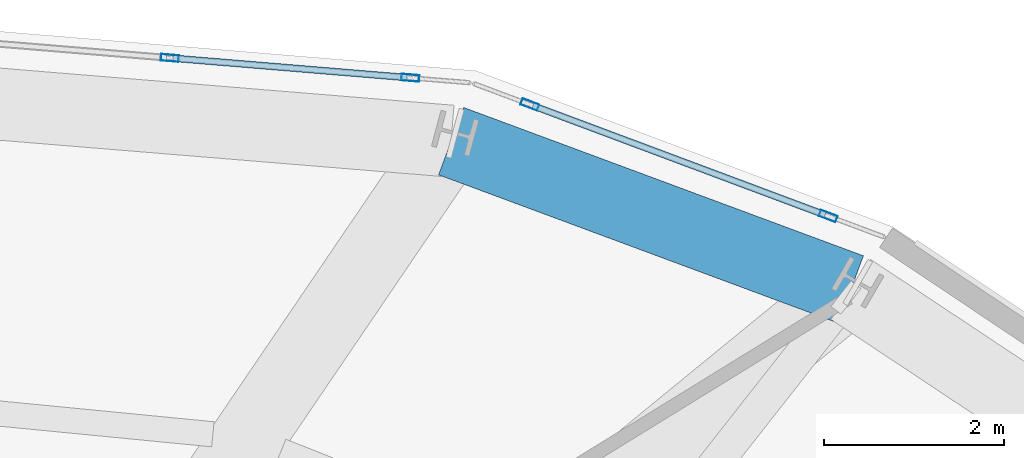
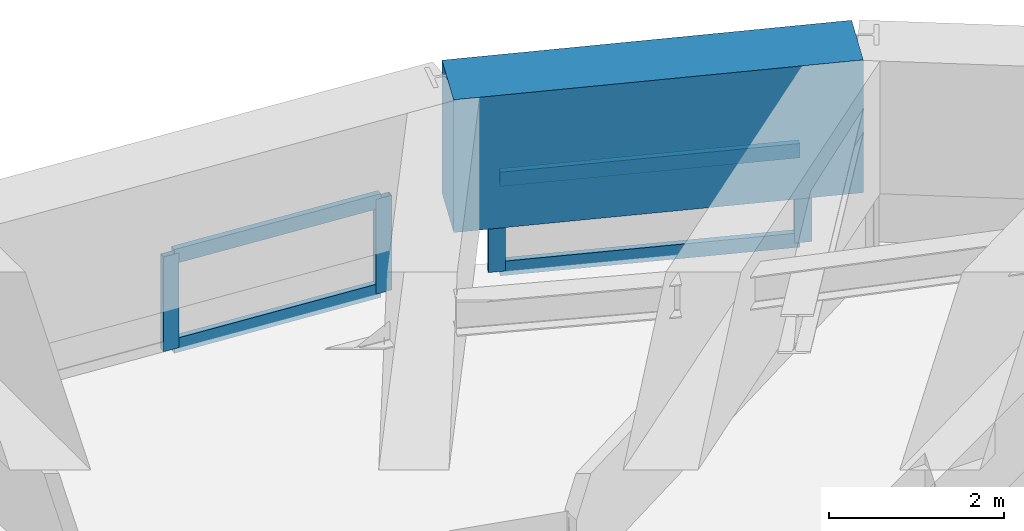
# One storey, part 11 of 21: 8 members, 1 beam, 2 elements without a shape of their own.
"""IFC4 building model written with IfcOpenShell, lengths in metres."""

from ifc_helpers import new_model, si_unit, direction, frame, origin, origin_2d, place, context, subcontext, project, spatial, rectangle, hollow_rectangle, extrude, material, layer, layer_set, material_profile, profile_set, type_object, element, aggregate, save


model = new_model("IFC4")

# Units and contexts
model_context = context("Model", 3, precision=1e-05, world=origin(), true_north=direction((0.0, 1.0)))
body_context = subcontext(model_context, "Body", "Model", "MODEL_VIEW")
ifc_project = project(units=[si_unit("LENGTHUNIT", "METRE"), si_unit("AREAUNIT", "SQUARE_METRE"), si_unit("VOLUMEUNIT", "CUBIC_METRE"), si_unit("PLANEANGLEUNIT", "RADIAN"), si_unit("MASSUNIT", "GRAM", prefix="KILO")], contexts=[model_context])

# Site, building, storey
site_placement = place(None, origin())
site = spatial("IfcSite", under=ifc_project, at=site_placement, CompositionType="ELEMENT")
building_placement = place(site_placement, origin())
building = spatial("IfcBuilding", under=site, at=building_placement, Name="Solvane Sanctuary Tower", CompositionType="ELEMENT")
storey_placement = place(building_placement, frame((0.0, 0.0, 260.39990234375)))
storey = spatial("IfcBuildingStorey", under=building, at=storey_placement, Name="L79", CompositionType="ELEMENT", Elevation=260.39990234375)

# Beam
ifc_material_1 = material(Name="Concrete C70/85", Category="concrete")
ifc_material_profile_1 = material_profile(ifc_material_1, rectangle(XDim=0.800048828125, YDim=1.85009765625, at=origin_2d()), Name="RC800X1850")
ifc_profile_set_1 = profile_set([ifc_material_profile_1], Name="Concrete C70/85")
beam_type = type_object("IfcBeamType", Name="Beam B-XFER-BLK RC800X1850", PredefinedType="BEAM", material=ifc_profile_set_1)
beam_placement = place(storey_placement, frame((38.48876953125, 37.857421875, 2.275146484375), z_axis=(0.937541853236, -0.347872495939, 0.0), x_axis=(0.347872495939, 0.937541853236, 0.0)))
element("IfcBeam", 1, at=beam_placement, inside=storey, type_object=beam_type, Name="L79 Perimeter Step Transfer Ring NTC03-NTC02", PredefinedType="BEAM", context=body_context, shape_type="SweptSolid", body=[
    extrude(rectangle(XDim=0.800048828125, YDim=1.85009765625, at=origin_2d()), origin(), (0.0, 0.0, 1.0), 4.74365234375),
])

# Curtain wall, members
ifc_material_2 = material(Name="Anodised Aluminium 6063-T6", Category="aluminium")
ifc_layer = layer(ifc_material_2, 0.219970703125, Name="Anodised Aluminium 6063-T6")
ifc_layer_set = layer_set([ifc_layer], Name="Anodised Aluminium 6063-T6")
curtain_wall_type = type_object("IfcCurtainWallType", Name="Curtain Wall CW-CROWN", PredefinedType="NOTDEFINED", material=ifc_layer_set)
curtain_wall_1_placement = place(storey_placement, origin())
curtain_wall_1 = element("IfcCurtainWall", 2, at=curtain_wall_1_placement, inside=storey, type_object=curtain_wall_type, Name="L79 Crown Fritted Lantern Curtain Wall 04", PredefinedType="NOTDEFINED")
ifc_material_profile_2 = material_profile(ifc_material_2, hollow_rectangle(XDim=0.074951171875, YDim=0.199951171875, WallThickness=0.00390625, at=origin_2d()), Name="ALU200X75X4")
ifc_profile_set_2 = profile_set([ifc_material_profile_2], Name="Anodised Aluminium 6063-T6")
member_type_1 = type_object("IfcMemberType", Name="Member M-CW-MUL-1 ALU200X75X4", PredefinedType="MULLION", material=ifc_profile_set_2)
member_1_placement = place(storey_placement, frame((42.68310546875, 37.02392578125, 0.0), z_axis=(0.0, 0.0, 1.0), x_axis=(-0.350162997497, -0.936688782459, 0.0)))
member_1 = element("IfcMember", 3, at=member_1_placement, type_object=member_type_1, Name="CW-CROWN mullion 1", PredefinedType="MULLION", context=body_context, shape_type="SweptSolid", body=[
    extrude(hollow_rectangle(XDim=0.074951171875, YDim=0.199951171875, WallThickness=0.00390625, at=origin_2d()), origin(), (0.0, 0.0, 1.0), 1.320068359375),
])
member_2_placement = place(storey_placement, frame((39.36474609375, 38.264404296875, 0.0), z_axis=(0.0, 0.0, 1.0), x_axis=(-0.350162997497, -0.936688782459, 0.0)))
member_2 = element("IfcMember", 4, at=member_2_placement, type_object=member_type_1, Name="CW-CROWN mullion 2", PredefinedType="MULLION", context=body_context, shape_type="SweptSolid", body=[
    extrude(hollow_rectangle(XDim=0.074951171875, YDim=0.199951171875, WallThickness=0.00390625, at=origin_2d()), origin(), (0.0, 0.0, 1.0), 1.320068359375),
])

curtain_wall_2_placement = place(storey_placement, origin())
curtain_wall_2 = element("IfcCurtainWall", 5, at=curtain_wall_2_placement, inside=storey, type_object=curtain_wall_type, Name="L79 Crown Fritted Lantern Curtain Wall 05", PredefinedType="NOTDEFINED")
member_3_placement = place(storey_placement, frame((38.03564453125, 38.561767578125, 0.0), z_axis=(0.0, 0.0, 1.0), x_axis=(-0.082279236206, -0.996609315273, 0.0)))
member_3 = element("IfcMember", 6, at=member_3_placement, type_object=member_type_1, Name="CW-CROWN mullion 1", PredefinedType="MULLION", context=body_context, shape_type="SweptSolid", body=[
    extrude(hollow_rectangle(XDim=0.074951171875, YDim=0.199951171875, WallThickness=0.00390625, at=origin_2d()), origin(), (0.0, 0.0, 1.0), 1.320068359375),
])
member_4_placement = place(storey_placement, frame((35.3603515625, 38.782470703125, 0.0), z_axis=(0.0, 0.0, 1.0), x_axis=(-0.082279236206, -0.996609315273, 0.0)))
member_4 = element("IfcMember", 7, at=member_4_placement, type_object=member_type_1, Name="CW-CROWN mullion 2", PredefinedType="MULLION", context=body_context, shape_type="SweptSolid", body=[
    extrude(hollow_rectangle(XDim=0.074951171875, YDim=0.199951171875, WallThickness=0.00390625, at=origin_2d()), origin(), (0.0, 0.0, 1.0), 1.320068359375),
])

# Member
ifc_material_profile_3 = material_profile(ifc_material_2, hollow_rectangle(XDim=0.074951171875, YDim=0.199951171875, WallThickness=0.00390625, at=origin_2d()), Name="ALU200X75X4")
ifc_profile_set_3 = profile_set([ifc_material_profile_3], Name="Anodised Aluminium 6063-T6")
member_type_2 = type_object("IfcMemberType", Name="Member M-CW-TRN-2 ALU200X75X4", PredefinedType="USERDEFINED", material=ifc_profile_set_3)
member_5_placement = place(storey_placement, frame((42.64794921875, 37.036865234375, 0.03759765625), z_axis=(-0.936675925427, 0.350197388235, 0.0), x_axis=(-0.350197388235, -0.936675925427, 0.0)))
member_5 = element("IfcMember", 8, at=member_5_placement, type_object=member_type_2, Name="CW-CROWN transom 1.1", ObjectType="TRANSOM", PredefinedType="USERDEFINED", context=body_context, shape_type="SweptSolid", body=[
    extrude(hollow_rectangle(XDim=0.074951171875, YDim=0.199951171875, WallThickness=0.00390625, at=origin_2d()), origin(), (0.0, 0.0, 1.0), 3.467529296875),
])

member_6_placement = place(storey_placement, frame((42.64794921875, 37.036865234375, 1.28271484375), z_axis=(-0.936675925427, 0.350197388235, 0.0), x_axis=(-0.350197388235, -0.936675925427, 0.0)))
member_6 = element("IfcMember", 9, at=member_6_placement, type_object=member_type_2, Name="CW-CROWN transom 1.2", ObjectType="TRANSOM", PredefinedType="USERDEFINED", context=body_context, shape_type="SweptSolid", body=[
    extrude(hollow_rectangle(XDim=0.074951171875, YDim=0.199951171875, WallThickness=0.00390625, at=origin_2d()), origin(), (0.0, 0.0, 1.0), 3.467529296875),
])

aggregate(curtain_wall_1, [member_1, member_2, member_5, member_6])

member_7_placement = place(storey_placement, frame((37.998291015625, 38.564697265625, 0.03759765625), z_axis=(-0.996604866075, 0.082333109477, 0.0), x_axis=(-0.082333109477, -0.996604866075, 0.0)))
member_7 = element("IfcMember", 10, at=member_7_placement, type_object=member_type_2, Name="CW-CROWN transom 1.1", ObjectType="TRANSOM", PredefinedType="USERDEFINED", context=body_context, shape_type="SweptSolid", body=[
    extrude(hollow_rectangle(XDim=0.074951171875, YDim=0.199951171875, WallThickness=0.00390625, at=origin_2d()), origin(), (0.0, 0.0, 1.0), 2.609375),
])

member_8_placement = place(storey_placement, frame((37.998291015625, 38.564697265625, 1.28271484375), z_axis=(-0.996604866075, 0.082333109477, 0.0), x_axis=(-0.082333109477, -0.996604866075, 0.0)))
member_8 = element("IfcMember", 11, at=member_8_placement, type_object=member_type_2, Name="CW-CROWN transom 1.2", ObjectType="TRANSOM", PredefinedType="USERDEFINED", context=body_context, shape_type="SweptSolid", body=[
    extrude(hollow_rectangle(XDim=0.074951171875, YDim=0.199951171875, WallThickness=0.00390625, at=origin_2d()), origin(), (0.0, 0.0, 1.0), 2.609375),
])

aggregate(curtain_wall_2, [member_3, member_4, member_7, member_8])

save(model, "model.ifc")
